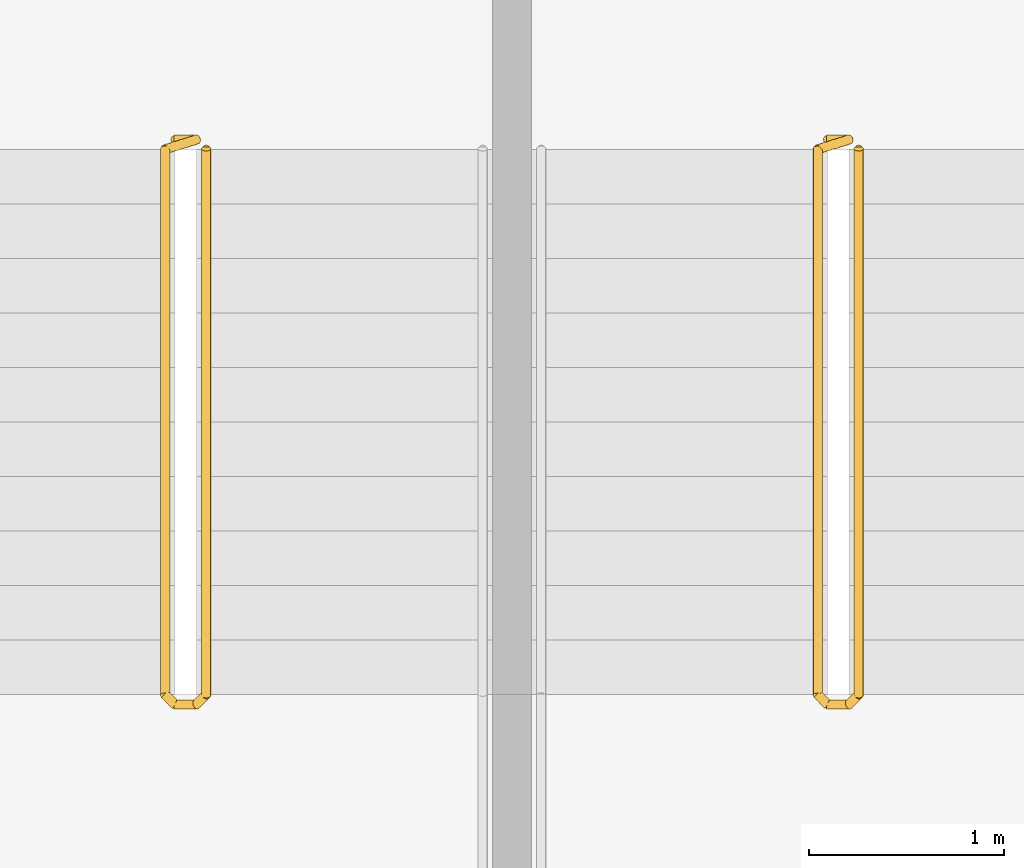
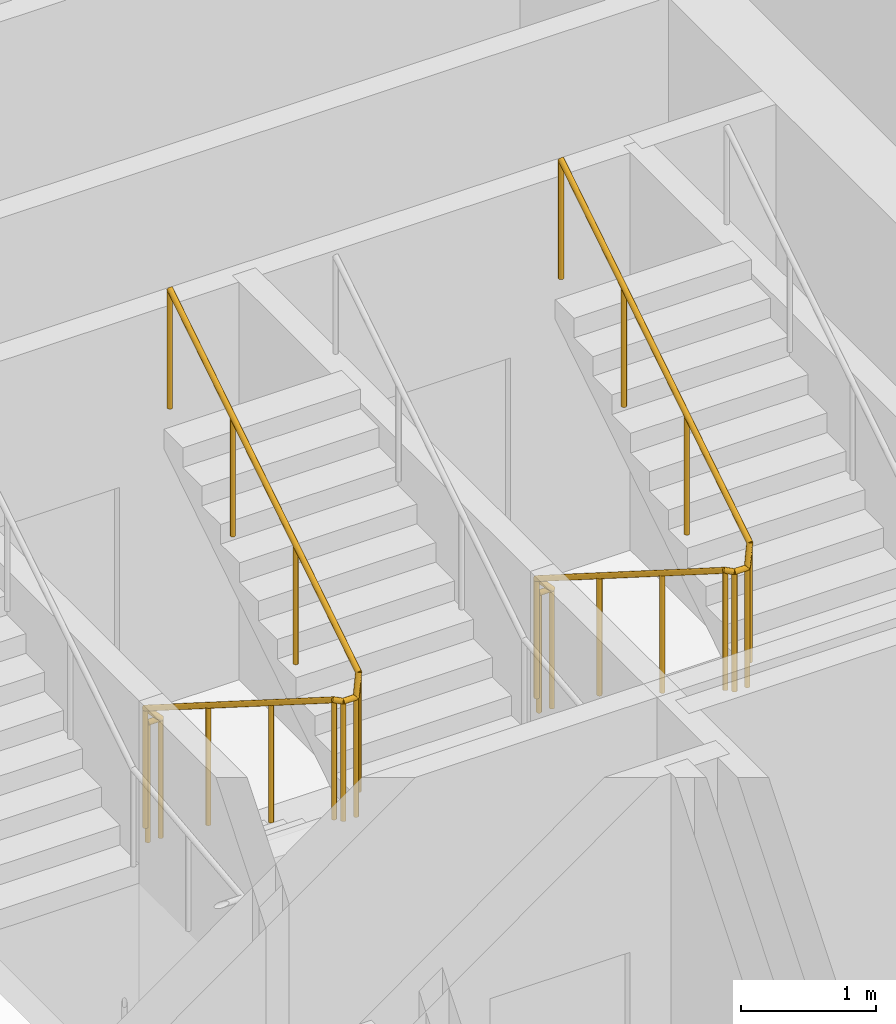
# One storey, part 13 of 13: 2 railings.
"""IFC4 building model written with IfcOpenShell, lengths in metres."""

from ifc_helpers import new_model, si_unit, direction, frame, origin, origin_2d, place, context, subcontext, project, spatial, circle, extrude, material, type_object, element, save


model = new_model("IFC4")

# Units and contexts
model_context = context("Model", 3, precision=1e-05, world=origin(), true_north=direction((0.0, 1.0)))
body_context = subcontext(model_context, "Body", "Model", "MODEL_VIEW")
ifc_project = project(units=[si_unit("LENGTHUNIT", "METRE"), si_unit("AREAUNIT", "SQUARE_METRE"), si_unit("VOLUMEUNIT", "CUBIC_METRE"), si_unit("PLANEANGLEUNIT", "RADIAN"), si_unit("MASSUNIT", "GRAM", prefix="KILO")], contexts=[model_context])

# Site, building, storey
site_placement = place(None, origin())
site = spatial("IfcSite", under=ifc_project, at=site_placement, CompositionType="ELEMENT")
building_placement = place(site_placement, origin())
building = spatial("IfcBuilding", under=site, at=building_placement, Name="Tessera Arch", CompositionType="ELEMENT")
storey_placement = place(building_placement, frame((0.0, 0.0, 166.10009765625)))
storey = spatial("IfcBuildingStorey", under=building, at=storey_placement, Name="L39", CompositionType="ELEMENT", Elevation=166.10009765625)

# Railings
ifc_material = material(Name="Painted steel balustrade", Category="steel")
railing_type = type_object("IfcRailingType", Name="Stair guard 1100", PredefinedType="GUARDRAIL", material=ifc_material)
railing_1_placement = place(storey_placement, frame((41.570068359375, 43.6298828125, 0.0)))
element("IfcRailing", 1, at=railing_1_placement, inside=storey, type_object=railing_type, Name="L39 S1b stair guard 1", PredefinedType="GUARDRAIL", context=body_context, shape_type="SweptSolid", body=[
    extrude(circle(Radius=0.02392578125, at=origin_2d()), frame((-0.00390625, 0.0, 1.076171875), z_axis=(1.0, 0.0, 0.0), x_axis=(0.0, 1.0, 0.0)), (0.0, 0.0, 1.0), 0.117919921875),
    extrude(circle(Radius=0.02392578125, at=origin_2d()), frame((0.112548828125, 0.000732421875, 1.0732421875), z_axis=(-0.65574896516, -0.204233265485, 0.726830150696), x_axis=(0.297361876254, -0.954764847777, 0.0)), (0.0, 0.0, 1.0), 0.251953125),
    extrude(circle(Radius=0.02392578125, at=origin_2d()), frame((-0.050048828125, -0.04638671875, 1.251220703125), z_axis=(0.0, -0.844908973607, 0.534910110503), x_axis=(1.0, 0.0, 0.0)), (0.0, 0.0, 1.0), 3.322021484375),
    extrude(circle(Radius=0.02392578125, at=origin_2d()), frame((-0.052978515625, -2.846923828125, 3.02587890625), z_axis=(0.707106781187, -0.707106781187, 0.0), x_axis=(0.707106781187, 0.707106781187, 0.0)), (0.0, 0.0, 1.0), 0.078857421875),
    extrude(circle(Radius=0.02392578125, at=origin_2d()), frame((-0.00390625, -2.89990234375, 3.02587890625), z_axis=(1.0, 0.0, 0.0), x_axis=(0.0, 1.0, 0.0)), (0.0, 0.0, 1.0), 0.117919921875),
    extrude(circle(Radius=0.02392578125, at=origin_2d()), frame((0.10888671875, -2.90087890625, 3.022216796875), z_axis=(0.262233686654, 0.262233686654, 0.928691007369), x_axis=(-0.707106781187, 0.707106781187, 0.0)), (0.0, 0.0, 1.0), 0.198974609375),
    extrude(circle(Radius=0.02392578125, at=origin_2d()), frame((0.159912109375, -2.853271484375, 3.201171875), z_axis=(0.0, 0.844908973607, 0.534910110503), x_axis=(-1.0, 0.0, 0.0)), (0.0, 0.0, 1.0), 3.322021484375),
    extrude(circle(Radius=0.02099609375, at=origin_2d()), origin(), (0.0, 0.0, 1.0), 1.06396484375),
    extrude(circle(Radius=0.02099609375, at=origin_2d()), frame((0.10986328125, 0.0, 0.0)), (0.0, 0.0, 1.0), 1.06396484375),
    extrude(circle(Radius=0.02099609375, at=origin_2d()), frame((-0.050048828125, -0.0498046875, 0.17724609375)), (0.0, 0.0, 1.0), 1.06396484375),
    extrude(circle(Radius=0.02099609375, at=origin_2d()), frame((-0.050048828125, -0.983154296875, 0.76806640625)), (0.0, 0.0, 1.0), 1.06396484375),
    extrude(circle(Radius=0.02099609375, at=origin_2d()), frame((-0.050048828125, -1.91650390625, 1.359130859375)), (0.0, 0.0, 1.0), 1.06396484375),
    extrude(circle(Radius=0.02099609375, at=origin_2d()), frame((-0.050048828125, -2.849853515625, 1.949951171875)), (0.0, 0.0, 1.0), 1.06396484375),
    extrude(circle(Radius=0.02099609375, at=origin_2d()), frame((0.0, -2.89990234375, 1.949951171875)), (0.0, 0.0, 1.0), 1.06396484375),
    extrude(circle(Radius=0.02099609375, at=origin_2d()), frame((0.10986328125, -2.89990234375, 1.949951171875)), (0.0, 0.0, 1.0), 1.06396484375),
    extrude(circle(Radius=0.02099609375, at=origin_2d()), frame((0.159912109375, -2.849853515625, 2.127197265625)), (0.0, 0.0, 1.0), 1.06396484375),
    extrude(circle(Radius=0.02099609375, at=origin_2d()), frame((0.159912109375, -1.91650390625, 2.718017578125)), (0.0, 0.0, 1.0), 1.06396484375),
    extrude(circle(Radius=0.02099609375, at=origin_2d()), frame((0.159912109375, -0.983154296875, 3.30908203125)), (0.0, 0.0, 1.0), 1.06396484375),
    extrude(circle(Radius=0.02099609375, at=origin_2d()), frame((0.159912109375, -0.0498046875, 3.89990234375)), (0.0, 0.0, 1.0), 1.06396484375),
])
railing_2_placement = place(storey_placement, frame((44.919921875, 43.6298828125, 0.0)))
element("IfcRailing", 2, at=railing_2_placement, inside=storey, type_object=railing_type, Name="L39 S1c stair guard 1", PredefinedType="GUARDRAIL", context=body_context, shape_type="SweptSolid", body=[
    extrude(circle(Radius=0.02392578125, at=origin_2d()), frame((-0.00390625, 0.0, 1.076171875), z_axis=(1.0, 0.0, 0.0), x_axis=(0.0, 1.0, 0.0)), (0.0, 0.0, 1.0), 0.1181640625),
    extrude(circle(Radius=0.02392578125, at=origin_2d()), frame((0.11279296875, 0.000732421875, 1.0732421875), z_axis=(-0.65574896516, -0.204233265485, 0.726830150696), x_axis=(0.297361876254, -0.954764847777, 0.0)), (0.0, 0.0, 1.0), 0.251953125),
    extrude(circle(Radius=0.02392578125, at=origin_2d()), frame((-0.0498046875, -0.04638671875, 1.251220703125), z_axis=(0.0, -0.844908973607, 0.534910110503), x_axis=(1.0, 0.0, 0.0)), (0.0, 0.0, 1.0), 3.322021484375),
    extrude(circle(Radius=0.02392578125, at=origin_2d()), frame((-0.052734375, -2.846923828125, 3.02587890625), z_axis=(0.705375805398, -0.708833529934, 0.0), x_axis=(0.708833529934, 0.705375805398, 0.0)), (0.0, 0.0, 1.0), 0.07861328125),
    extrude(circle(Radius=0.02392578125, at=origin_2d()), frame((-0.00390625, -2.89990234375, 3.02587890625), z_axis=(1.0, 0.0, 0.0), x_axis=(0.0, 1.0, 0.0)), (0.0, 0.0, 1.0), 0.1181640625),
    extrude(circle(Radius=0.02392578125, at=origin_2d()), frame((0.109130859375, -2.90087890625, 3.022216796875), z_axis=(0.262233686654, 0.262233686654, 0.928691007369), x_axis=(-0.707106781187, 0.707106781187, 0.0)), (0.0, 0.0, 1.0), 0.198974609375),
    extrude(circle(Radius=0.02392578125, at=origin_2d()), frame((0.16015625, -2.853271484375, 3.201171875), z_axis=(0.0, 0.844908973607, 0.534910110503), x_axis=(-1.0, 0.0, 0.0)), (0.0, 0.0, 1.0), 3.322021484375),
    extrude(circle(Radius=0.02099609375, at=origin_2d()), origin(), (0.0, 0.0, 1.0), 1.06396484375),
    extrude(circle(Radius=0.02099609375, at=origin_2d()), frame((0.110107421875, 0.0, 0.0)), (0.0, 0.0, 1.0), 1.06396484375),
    extrude(circle(Radius=0.02099609375, at=origin_2d()), frame((-0.0498046875, -0.0498046875, 0.17724609375)), (0.0, 0.0, 1.0), 1.06396484375),
    extrude(circle(Radius=0.02099609375, at=origin_2d()), frame((-0.0498046875, -0.983154296875, 0.76806640625)), (0.0, 0.0, 1.0), 1.06396484375),
    extrude(circle(Radius=0.02099609375, at=origin_2d()), frame((-0.0498046875, -1.91650390625, 1.359130859375)), (0.0, 0.0, 1.0), 1.06396484375),
    extrude(circle(Radius=0.02099609375, at=origin_2d()), frame((-0.0498046875, -2.849853515625, 1.949951171875)), (0.0, 0.0, 1.0), 1.06396484375),
    extrude(circle(Radius=0.02099609375, at=origin_2d()), frame((0.0, -2.89990234375, 1.949951171875)), (0.0, 0.0, 1.0), 1.06396484375),
    extrude(circle(Radius=0.02099609375, at=origin_2d()), frame((0.110107421875, -2.89990234375, 1.949951171875)), (0.0, 0.0, 1.0), 1.06396484375),
    extrude(circle(Radius=0.02099609375, at=origin_2d()), frame((0.16015625, -2.849853515625, 2.127197265625)), (0.0, 0.0, 1.0), 1.06396484375),
    extrude(circle(Radius=0.02099609375, at=origin_2d()), frame((0.16015625, -1.91650390625, 2.718017578125)), (0.0, 0.0, 1.0), 1.06396484375),
    extrude(circle(Radius=0.02099609375, at=origin_2d()), frame((0.16015625, -0.983154296875, 3.30908203125)), (0.0, 0.0, 1.0), 1.06396484375),
    extrude(circle(Radius=0.02099609375, at=origin_2d()), frame((0.16015625, -0.0498046875, 3.89990234375)), (0.0, 0.0, 1.0), 1.06396484375),
])

save(model, "model.ifc")
